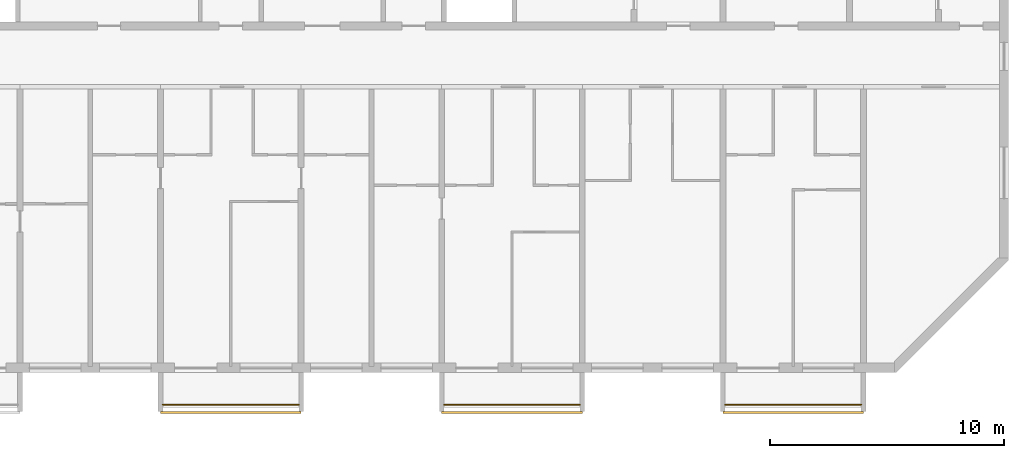
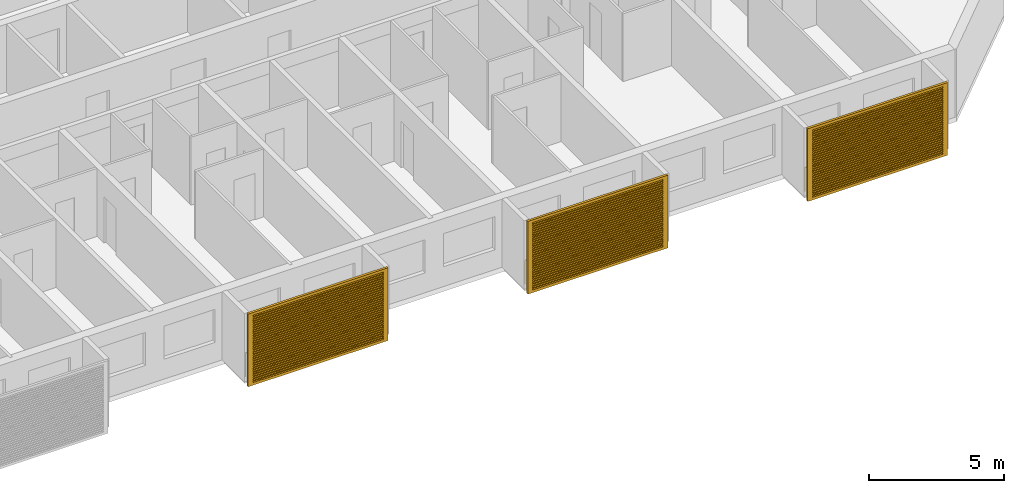
# One storey, part 13 of 26: 3 railings, 3 shading devices.
"""IFC4 building model written with IfcOpenShell, lengths in metres."""

import ifcopenshell
import ifcopenshell.guid

model = None  # the IFC model being written
_history = None  # IfcOwnerHistory: only IFC2X3 demands one
_inside = {}  # id of a spatial element -> (the spatial element, [elements in it])
_under = {}  # id of a project, library or spatial element -> (it, [spatial elements below it])
_declared = {}  # id of a project -> (the project, [libraries it declares])
_typed = {}  # id of a type object -> (the type object, [elements of that type])
_made_of = {}  # id of a material, layer set ... -> (it, [elements and type objects made of it])


def new_model(schema):
    """Start an empty IFC model of exactly this schema.

    Asked for "IFC4X3", IfcOpenShell would pick the latest addendum, in which some entities
    have other attributes; the version numbers below select the first issue.
    IFC2X3 requires an IfcOwnerHistory on every rooted entity: one is made here for all.
    """
    global model, _history
    if schema == "IFC4X3":
        model = ifcopenshell.file(schema_version=(4, 3, 0, 0))
    else:
        model = ifcopenshell.file(schema=schema)
    _inside.clear()
    _under.clear()
    _declared.clear()
    _typed.clear()
    _made_of.clear()
    _history = None
    if model.schema == "IFC2X3":
        org = make("IfcOrganization", Name="unknown")
        user = make(
            "IfcPersonAndOrganization",
            ThePerson=make("IfcPerson", FamilyName="unknown"),
            TheOrganization=org,
        )
        app = make(
            "IfcApplication",
            ApplicationDeveloper=org,
            Version="unknown",
            ApplicationFullName="unknown",
            ApplicationIdentifier="unknown",
        )
        _history = make(
            "IfcOwnerHistory",
            OwningUser=user,
            OwningApplication=app,
            ChangeAction="ADDED",
            CreationDate=0,
        )
    return model


def make(cls, **values):
    """One entity of the class cls with the attributes given. An attribute that is None is left unset."""
    return model.create_entity(
        cls, **{name: value for name, value in values.items() if value is not None}
    )


def rooted(cls, **values):
    """An entity with a GlobalId (a new one), such as an element, a storey or a relation."""
    return make(cls, GlobalId=ifcopenshell.guid.new(), OwnerHistory=_history, **values)


def si_unit(unit_type, name, prefix=None):
    """IfcSIUnit, for example si_unit("LENGTHUNIT", "METRE", prefix="MILLI")."""
    return make("IfcSIUnit", UnitType=unit_type, Prefix=prefix, Name=name)


def assignment(units):
    """IfcUnitAssignment: the units of a project."""
    return None if units is None else make("IfcUnitAssignment", Units=units)


def point(xyz):
    """IfcCartesianPoint."""
    return None if xyz is None else make("IfcCartesianPoint", Coordinates=xyz)


def direction(xyz):
    """IfcDirection."""
    return None if xyz is None else make("IfcDirection", DirectionRatios=xyz)


def frame(location, z_axis=None, x_axis=None):
    """IfcAxis2Placement3D, a coordinate frame: its origin and axes. An axis left out is left unset."""
    return make(
        "IfcAxis2Placement3D",
        Location=point(location),
        Axis=direction(z_axis),
        RefDirection=direction(x_axis),
    )


def frame_2d(location, x_axis=None):
    """IfcAxis2Placement2D, a coordinate frame in the plane: its origin and x axis."""
    return make(
        "IfcAxis2Placement2D", Location=point(location), RefDirection=direction(x_axis)
    )


def origin():
    """The frame at (0, 0, 0) with its axes left unset."""
    return frame((0.0, 0.0, 0.0))


def origin_2d():
    """The frame at (0, 0) in the plane with its x axis left unset."""
    return frame_2d((0.0, 0.0))


def place(relative_to, where):
    """IfcLocalPlacement: puts the frame where relative to a parent placement (None: the world)."""
    return make(
        "IfcLocalPlacement", PlacementRelTo=relative_to, RelativePlacement=where
    )


def context(
    kind, dimensions, precision=None, world=None, true_north=None, identifier=None
):
    """IfcGeometricRepresentationContext, for example the 3D "Model" context."""
    return make(
        "IfcGeometricRepresentationContext",
        ContextIdentifier=identifier,
        ContextType=kind,
        CoordinateSpaceDimension=dimensions,
        Precision=precision,
        WorldCoordinateSystem=world,
        TrueNorth=true_north,
    )


def subcontext(parent, identifier, kind, view, scale=None):
    """IfcGeometricRepresentationSubContext, for example "Body" below "Model"."""
    return make(
        "IfcGeometricRepresentationSubContext",
        ContextIdentifier=identifier,
        ContextType=kind,
        ParentContext=parent,
        TargetScale=scale,
        TargetView=view,
    )


def project(units=None, contexts=None):
    """IfcProject with its units and contexts."""
    return rooted(
        "IfcProject",
        Name="project",
        RepresentationContexts=contexts,
        UnitsInContext=assignment(units),
    )


def spatial(cls, under=None, at=None, **own):
    """A site, building, storey or space (cls), placed at a placement, below another one or the project."""
    s = rooted(cls, ObjectPlacement=at, **own)
    if under is not None:
        _under.setdefault(under.id(), (under, []))[1].append(s)
    return s


def polyline(points):
    """IfcPolyline through the points."""
    return make("IfcPolyline", Points=[point(p) for p in points])


def profile(cls, at=None, kind="AREA", **sizes):
    """A parametric profile (cls). Its sizes go by their IFC names, for example OverallWidth=200.0."""
    return make(cls, ProfileType=kind, Position=at, **sizes)


def circle(**sizes):
    """IfcCircleProfileDef."""
    return profile("IfcCircleProfileDef", **sizes)


def outline(outer, holes=None, kind="AREA"):
    """IfcArbitraryClosedProfileDef: a profile drawn as a closed curve; with holes, ...WithVoids."""
    if holes is None:
        return make("IfcArbitraryClosedProfileDef", ProfileType=kind, OuterCurve=outer)
    return make(
        "IfcArbitraryProfileDefWithVoids",
        ProfileType=kind,
        OuterCurve=outer,
        InnerCurves=holes,
    )


def extrude(swept, where, along, depth):
    """IfcExtrudedAreaSolid: the profile swept, set in the frame where, extruded along a direction by depth."""
    return make(
        "IfcExtrudedAreaSolid",
        SweptArea=swept,
        Position=where,
        ExtrudedDirection=direction(along),
        Depth=depth,
    )


def shape(context_of_items, identifier, shape_type, items):
    """IfcShapeRepresentation: the items that make up one representation, for example the "Body"."""
    return make(
        "IfcShapeRepresentation",
        ContextOfItems=context_of_items,
        RepresentationIdentifier=identifier,
        RepresentationType=shape_type,
        Items=items,
    )


def source(mapping_origin, context_of_items, identifier, shape_type, items):
    """IfcRepresentationMap: a shape defined once, which mapped items show again and again."""
    return make(
        "IfcRepresentationMap",
        MappingOrigin=mapping_origin,
        MappedRepresentation=shape(context_of_items, identifier, shape_type, items),
    )


def transform(
    local_origin,
    x_axis=None,
    y_axis=None,
    z_axis=None,
    scale=None,
    scale2=None,
    scale3=None,
    uniform=True,
):
    """IfcCartesianTransformationOperator3D, or its non-uniform kind. x_axis, y_axis, z_axis: its Axis1, 2, 3."""
    if uniform:
        return make(
            "IfcCartesianTransformationOperator3D",
            Axis1=direction(x_axis),
            Axis2=direction(y_axis),
            LocalOrigin=point(local_origin),
            Scale=scale,
            Axis3=direction(z_axis),
        )
    return make(
        "IfcCartesianTransformationOperator3DnonUniform",
        Axis1=direction(x_axis),
        Axis2=direction(y_axis),
        LocalOrigin=point(local_origin),
        Scale=scale,
        Axis3=direction(z_axis),
        Scale2=scale2,
        Scale3=scale3,
    )


def mapped(mapping_source, mapping_target):
    """IfcMappedItem: shows the shape of a source again, moved by a transform."""
    return make(
        "IfcMappedItem", MappingSource=mapping_source, MappingTarget=mapping_target
    )


def material(Name=None, Category=None):
    """IfcMaterial."""
    return make("IfcMaterial", Name=Name, Category=Category)


def material_profile(
    of_material, cross_section, Name=None, Category=None, Priority=None
):
    """IfcMaterialProfile: a cross section and its material."""
    return make(
        "IfcMaterialProfile",
        Name=Name,
        Material=of_material,
        Profile=cross_section,
        Priority=Priority,
        Category=Category,
    )


def profile_set(profiles, Name=None, composite=None):
    """IfcMaterialProfileSet."""
    return make(
        "IfcMaterialProfileSet",
        Name=Name,
        MaterialProfiles=profiles,
        CompositeProfile=composite,
    )


def made_of(thing, what):
    """Note that an element or type object is made of a material, layer set ...; save() writes the relation."""
    if what is not None:
        _made_of.setdefault(what.id(), (what, []))[1].append(thing)
    return thing


def type_object(cls, material=None, **own):
    """A type object (cls), such as IfcWallType, which elements share."""
    return made_of(rooted(cls, **own), material)


def element(
    cls,
    number,
    at=None,
    inside=None,
    cuts=None,
    type_object=None,
    material=None,
    context=None,
    identifier="Body",
    shape_type=None,
    held_by="IfcProductDefinitionShape",
    body=None,
    shapes=None,
    **own,
):
    """One element of the class cls, such as IfcWall. Its Tag is "e" and its number.

    at: its placement. inside: the storey or other place that contains it. cuts: it is an
    opening in that element (IfcRelVoidsElement). A single representation is given by context,
    identifier, shape_type and body (its items); several are given by shapes. held_by: the class
    of the entity that holds the representations. save() writes the other relations.
    """
    e = rooted(cls, Tag="e%d" % number, ObjectPlacement=at, **own)
    if body is not None:
        shapes = [shape(context, identifier, shape_type, body)]
    if shapes is not None:
        e.Representation = make(held_by, Representations=shapes)
    if inside is not None:
        _inside.setdefault(inside.id(), (inside, []))[1].append(e)
    if cuts is not None:
        rooted(
            "IfcRelVoidsElement", RelatingBuildingElement=cuts, RelatedOpeningElement=e
        )
    if type_object is not None:
        _typed.setdefault(type_object.id(), (type_object, []))[1].append(e)
    return made_of(e, material)


def aggregate(whole, parts):
    """IfcRelAggregates: a whole, such as a stair, and the parts it consists of."""
    return rooted("IfcRelAggregates", RelatingObject=whole, RelatedObjects=parts)


def save(model, path):
    """Write the relations noted so far, then the file.

    IfcRelAggregates (storeys below a building ...), IfcRelContainedInSpatialStructure (elements
    in a storey), IfcRelDefinesByType, IfcRelAssociatesMaterial and IfcRelDeclares: one each for
    every whole, place, type object, material and project.
    """
    for whole, parts in _under.values():
        aggregate(whole, parts)
    for where, things in _inside.values():
        rooted(
            "IfcRelContainedInSpatialStructure",
            RelatedElements=things,
            RelatingStructure=where,
        )
    for kind, things in _typed.values():
        rooted("IfcRelDefinesByType", RelatedObjects=things, RelatingType=kind)
    for what, things in _made_of.values():
        rooted("IfcRelAssociatesMaterial", RelatedObjects=things, RelatingMaterial=what)
    for by, libraries in _declared.values():
        rooted("IfcRelDeclares", RelatingContext=by, RelatedDefinitions=libraries)
    model.write(path)


model = new_model("IFC4")

# Units and contexts
model_context = context("Model", 3, precision=1e-05, world=origin(), true_north=direction((0.0, 1.0)))
body_context = subcontext(model_context, "Body", "Model", "MODEL_VIEW")
ifc_project = project(units=[si_unit("LENGTHUNIT", "METRE"), si_unit("AREAUNIT", "SQUARE_METRE"), si_unit("VOLUMEUNIT", "CUBIC_METRE"), si_unit("PLANEANGLEUNIT", "RADIAN"), si_unit("MASSUNIT", "GRAM", prefix="KILO")], contexts=[model_context])

# Site, building, storey
site_placement = place(None, origin())
site = spatial("IfcSite", under=ifc_project, at=site_placement, CompositionType="ELEMENT")
building_placement = place(site_placement, origin())
building = spatial("IfcBuilding", under=site, at=building_placement, Name="Poui Terraces", CompositionType="ELEMENT")
storey_placement = place(building_placement, frame((0.0, 0.0, 228.0)))
storey = spatial("IfcBuildingStorey", under=building, at=storey_placement, Name="L63", CompositionType="ELEMENT", Elevation=228.0)

# Railings
ifc_material_1 = material(Name="Painted steel fretwork", Category="steel")
railing_type = type_object("IfcRailingType", Name="BALCONY GUARD 1100", PredefinedType="GUARDRAIL", material=ifc_material_1)
for number, where, name in (
    (1, (48.10009765625, -1.570068359375, 0.0), "BALCONY GUARD"),
    (2, (60.10009765625, -1.570068359375, 0.0), "BALCONY GUARD"),
    (3, (72.10009765625, -1.570068359375, 0.0), "BALCONY GUARD"),
):
    element("IfcRailing", number, at=place(storey_placement, frame(where)), inside=storey, type_object=railing_type, Name=name, PredefinedType="GUARDRAIL", context=body_context, shape_type="SweptSolid", body=[
        extrude(circle(Radius=0.02392578125, at=origin_2d()), frame((0.0, 0.0, 1.076171875), z_axis=(1.0, 0.0, 0.0), x_axis=(0.0, 1.0, 0.0)), (0.0, 0.0, 1.0), 5.7998046875),
        extrude(circle(Radius=0.02099609375, at=origin_2d()), origin(), (0.0, 0.0, 1.0), 1.052001953125),
        extrude(circle(Radius=0.02099609375, at=origin_2d()), frame((0.966552734375, 0.0, 0.0)), (0.0, 0.0, 1.0), 1.052001953125),
        extrude(circle(Radius=0.02099609375, at=origin_2d()), frame((1.933349609375, 0.0, 0.0)), (0.0, 0.0, 1.0), 1.052001953125),
        extrude(circle(Radius=0.02099609375, at=origin_2d()), frame((2.89990234375, 0.0, 0.0)), (0.0, 0.0, 1.0), 1.052001953125),
        extrude(circle(Radius=0.02099609375, at=origin_2d()), frame((3.866455078125, 0.0, 0.0)), (0.0, 0.0, 1.0), 1.052001953125),
        extrude(circle(Radius=0.02099609375, at=origin_2d()), frame((4.833251953125, 0.0, 0.0)), (0.0, 0.0, 1.0), 1.052001953125),
        extrude(circle(Radius=0.02099609375, at=origin_2d()), frame((5.7998046875, 0.0, 0.0)), (0.0, 0.0, 1.0), 1.052001953125),
    ])

# Shading devices
ifc_material_2 = material(Name="Aluminium louvre", Category="aluminium")
ifc_material_profile = material_profile(ifc_material_2, outline(polyline([(-3.0, -1.64990234375), (3.0, -1.64990234375), (3.0, 1.64990234375), (-3.0, 1.64990234375), (-3.0, -1.64990234375)]), holes=[polyline([(-2.800048828125, -1.530029296875), (2.800048828125, -1.530029296875), (2.800048828125, -1.469970703125), (-2.800048828125, -1.469970703125), (-2.800048828125, -1.530029296875)]), polyline([(-2.800048828125, -1.429931640625), (2.800048828125, -1.429931640625), (2.800048828125, -1.3701171875), (-2.800048828125, -1.3701171875), (-2.800048828125, -1.429931640625)]), polyline([(-2.800048828125, -1.330078125), (2.800048828125, -1.330078125), (2.800048828125, -1.27001953125), (-2.800048828125, -1.27001953125), (-2.800048828125, -1.330078125)]), polyline([(-2.800048828125, -1.22998046875), (2.800048828125, -1.22998046875), (2.800048828125, -1.169921875), (-2.800048828125, -1.169921875), (-2.800048828125, -1.22998046875)]), polyline([(-2.800048828125, -1.1298828125), (2.800048828125, -1.1298828125), (2.800048828125, -1.070068359375), (-2.800048828125, -1.070068359375), (-2.800048828125, -1.1298828125)]), polyline([(-2.800048828125, -1.030029296875), (2.800048828125, -1.030029296875), (2.800048828125, -0.969970703125), (-2.800048828125, -0.969970703125), (-2.800048828125, -1.030029296875)]), polyline([(-2.800048828125, -0.929931640625), (2.800048828125, -0.929931640625), (2.800048828125, -0.8701171875), (-2.800048828125, -0.8701171875), (-2.800048828125, -0.929931640625)]), polyline([(-2.800048828125, -0.830078125), (2.800048828125, -0.830078125), (2.800048828125, -0.77001953125), (-2.800048828125, -0.77001953125), (-2.800048828125, -0.830078125)]), polyline([(-2.800048828125, -0.72998046875), (2.800048828125, -0.72998046875), (2.800048828125, -0.669921875), (-2.800048828125, -0.669921875), (-2.800048828125, -0.72998046875)]), polyline([(-2.800048828125, -0.6298828125), (2.800048828125, -0.6298828125), (2.800048828125, -0.570068359375), (-2.800048828125, -0.570068359375), (-2.800048828125, -0.6298828125)]), polyline([(-2.800048828125, -0.530029296875), (2.800048828125, -0.530029296875), (2.800048828125, -0.469970703125), (-2.800048828125, -0.469970703125), (-2.800048828125, -0.530029296875)]), polyline([(-2.800048828125, -0.429931640625), (2.800048828125, -0.429931640625), (2.800048828125, -0.3701171875), (-2.800048828125, -0.3701171875), (-2.800048828125, -0.429931640625)]), polyline([(-2.800048828125, -0.330078125), (2.800048828125, -0.330078125), (2.800048828125, -0.27001953125), (-2.800048828125, -0.27001953125), (-2.800048828125, -0.330078125)]), polyline([(-2.800048828125, -0.22998046875), (2.800048828125, -0.22998046875), (2.800048828125, -0.169921875), (-2.800048828125, -0.169921875), (-2.800048828125, -0.22998046875)]), polyline([(-2.800048828125, -0.1298828125), (2.800048828125, -0.1298828125), (2.800048828125, -0.070068359375), (-2.800048828125, -0.070068359375), (-2.800048828125, -0.1298828125)]), polyline([(-2.800048828125, -0.030029296875), (2.800048828125, -0.030029296875), (2.800048828125, 0.030029296875), (-2.800048828125, 0.030029296875), (-2.800048828125, -0.030029296875)]), polyline([(-2.800048828125, 0.070068359375), (2.800048828125, 0.070068359375), (2.800048828125, 0.1298828125), (-2.800048828125, 0.1298828125), (-2.800048828125, 0.070068359375)]), polyline([(-2.800048828125, 0.169921875), (2.800048828125, 0.169921875), (2.800048828125, 0.22998046875), (-2.800048828125, 0.22998046875), (-2.800048828125, 0.169921875)]), polyline([(-2.800048828125, 0.27001953125), (2.800048828125, 0.27001953125), (2.800048828125, 0.330078125), (-2.800048828125, 0.330078125), (-2.800048828125, 0.27001953125)]), polyline([(-2.800048828125, 0.3701171875), (2.800048828125, 0.3701171875), (2.800048828125, 0.429931640625), (-2.800048828125, 0.429931640625), (-2.800048828125, 0.3701171875)]), polyline([(-2.800048828125, 0.469970703125), (2.800048828125, 0.469970703125), (2.800048828125, 0.530029296875), (-2.800048828125, 0.530029296875), (-2.800048828125, 0.469970703125)]), polyline([(-2.800048828125, 0.570068359375), (2.800048828125, 0.570068359375), (2.800048828125, 0.6298828125), (-2.800048828125, 0.6298828125), (-2.800048828125, 0.570068359375)]), polyline([(-2.800048828125, 0.669921875), (2.800048828125, 0.669921875), (2.800048828125, 0.72998046875), (-2.800048828125, 0.72998046875), (-2.800048828125, 0.669921875)]), polyline([(-2.800048828125, 0.77001953125), (2.800048828125, 0.77001953125), (2.800048828125, 0.830078125), (-2.800048828125, 0.830078125), (-2.800048828125, 0.77001953125)]), polyline([(-2.800048828125, 0.8701171875), (2.800048828125, 0.8701171875), (2.800048828125, 0.929931640625), (-2.800048828125, 0.929931640625), (-2.800048828125, 0.8701171875)]), polyline([(-2.800048828125, 0.969970703125), (2.800048828125, 0.969970703125), (2.800048828125, 1.030029296875), (-2.800048828125, 1.030029296875), (-2.800048828125, 0.969970703125)]), polyline([(-2.800048828125, 1.070068359375), (2.800048828125, 1.070068359375), (2.800048828125, 1.1298828125), (-2.800048828125, 1.1298828125), (-2.800048828125, 1.070068359375)]), polyline([(-2.800048828125, 1.169921875), (2.800048828125, 1.169921875), (2.800048828125, 1.22998046875), (-2.800048828125, 1.22998046875), (-2.800048828125, 1.169921875)]), polyline([(-2.800048828125, 1.27001953125), (2.800048828125, 1.27001953125), (2.800048828125, 1.330078125), (-2.800048828125, 1.330078125), (-2.800048828125, 1.27001953125)]), polyline([(-2.800048828125, 1.3701171875), (2.800048828125, 1.3701171875), (2.800048828125, 1.429931640625), (-2.800048828125, 1.429931640625), (-2.800048828125, 1.3701171875)]), polyline([(-2.800048828125, 1.469970703125), (2.800048828125, 1.469970703125), (2.800048828125, 1.530029296875), (-2.800048828125, 1.530029296875), (-2.800048828125, 1.469970703125)])]), Name="JALOUSIE LOUVRE SHUTTER 6000X3300")
ifc_profile_set = profile_set([ifc_material_profile], Name="Aluminium louvre")
shading_device_type = type_object("IfcShadingDeviceType", Name="JALOUSIE LOUVRE SHUTTER 6000X3300", PredefinedType="JALOUSIE", material=ifc_profile_set)
shared_shape = source(origin(), body_context, "Body", "SweptSolid", [
    extrude(outline(polyline([(-3.0, -1.64990234375), (3.0, -1.64990234375), (3.0, 1.64990234375), (-3.0, 1.64990234375), (-3.0, -1.64990234375)]), holes=[polyline([(-2.800048828125, -1.530029296875), (2.800048828125, -1.530029296875), (2.800048828125, -1.469970703125), (-2.800048828125, -1.469970703125), (-2.800048828125, -1.530029296875)]), polyline([(-2.800048828125, -1.429931640625), (2.800048828125, -1.429931640625), (2.800048828125, -1.3701171875), (-2.800048828125, -1.3701171875), (-2.800048828125, -1.429931640625)]), polyline([(-2.800048828125, -1.330078125), (2.800048828125, -1.330078125), (2.800048828125, -1.27001953125), (-2.800048828125, -1.27001953125), (-2.800048828125, -1.330078125)]), polyline([(-2.800048828125, -1.22998046875), (2.800048828125, -1.22998046875), (2.800048828125, -1.169921875), (-2.800048828125, -1.169921875), (-2.800048828125, -1.22998046875)]), polyline([(-2.800048828125, -1.1298828125), (2.800048828125, -1.1298828125), (2.800048828125, -1.070068359375), (-2.800048828125, -1.070068359375), (-2.800048828125, -1.1298828125)]), polyline([(-2.800048828125, -1.030029296875), (2.800048828125, -1.030029296875), (2.800048828125, -0.969970703125), (-2.800048828125, -0.969970703125), (-2.800048828125, -1.030029296875)]), polyline([(-2.800048828125, -0.929931640625), (2.800048828125, -0.929931640625), (2.800048828125, -0.8701171875), (-2.800048828125, -0.8701171875), (-2.800048828125, -0.929931640625)]), polyline([(-2.800048828125, -0.830078125), (2.800048828125, -0.830078125), (2.800048828125, -0.77001953125), (-2.800048828125, -0.77001953125), (-2.800048828125, -0.830078125)]), polyline([(-2.800048828125, -0.72998046875), (2.800048828125, -0.72998046875), (2.800048828125, -0.669921875), (-2.800048828125, -0.669921875), (-2.800048828125, -0.72998046875)]), polyline([(-2.800048828125, -0.6298828125), (2.800048828125, -0.6298828125), (2.800048828125, -0.570068359375), (-2.800048828125, -0.570068359375), (-2.800048828125, -0.6298828125)]), polyline([(-2.800048828125, -0.530029296875), (2.800048828125, -0.530029296875), (2.800048828125, -0.469970703125), (-2.800048828125, -0.469970703125), (-2.800048828125, -0.530029296875)]), polyline([(-2.800048828125, -0.429931640625), (2.800048828125, -0.429931640625), (2.800048828125, -0.3701171875), (-2.800048828125, -0.3701171875), (-2.800048828125, -0.429931640625)]), polyline([(-2.800048828125, -0.330078125), (2.800048828125, -0.330078125), (2.800048828125, -0.27001953125), (-2.800048828125, -0.27001953125), (-2.800048828125, -0.330078125)]), polyline([(-2.800048828125, -0.22998046875), (2.800048828125, -0.22998046875), (2.800048828125, -0.169921875), (-2.800048828125, -0.169921875), (-2.800048828125, -0.22998046875)]), polyline([(-2.800048828125, -0.1298828125), (2.800048828125, -0.1298828125), (2.800048828125, -0.070068359375), (-2.800048828125, -0.070068359375), (-2.800048828125, -0.1298828125)]), polyline([(-2.800048828125, -0.030029296875), (2.800048828125, -0.030029296875), (2.800048828125, 0.030029296875), (-2.800048828125, 0.030029296875), (-2.800048828125, -0.030029296875)]), polyline([(-2.800048828125, 0.070068359375), (2.800048828125, 0.070068359375), (2.800048828125, 0.1298828125), (-2.800048828125, 0.1298828125), (-2.800048828125, 0.070068359375)]), polyline([(-2.800048828125, 0.169921875), (2.800048828125, 0.169921875), (2.800048828125, 0.22998046875), (-2.800048828125, 0.22998046875), (-2.800048828125, 0.169921875)]), polyline([(-2.800048828125, 0.27001953125), (2.800048828125, 0.27001953125), (2.800048828125, 0.330078125), (-2.800048828125, 0.330078125), (-2.800048828125, 0.27001953125)]), polyline([(-2.800048828125, 0.3701171875), (2.800048828125, 0.3701171875), (2.800048828125, 0.429931640625), (-2.800048828125, 0.429931640625), (-2.800048828125, 0.3701171875)]), polyline([(-2.800048828125, 0.469970703125), (2.800048828125, 0.469970703125), (2.800048828125, 0.530029296875), (-2.800048828125, 0.530029296875), (-2.800048828125, 0.469970703125)]), polyline([(-2.800048828125, 0.570068359375), (2.800048828125, 0.570068359375), (2.800048828125, 0.6298828125), (-2.800048828125, 0.6298828125), (-2.800048828125, 0.570068359375)]), polyline([(-2.800048828125, 0.669921875), (2.800048828125, 0.669921875), (2.800048828125, 0.72998046875), (-2.800048828125, 0.72998046875), (-2.800048828125, 0.669921875)]), polyline([(-2.800048828125, 0.77001953125), (2.800048828125, 0.77001953125), (2.800048828125, 0.830078125), (-2.800048828125, 0.830078125), (-2.800048828125, 0.77001953125)]), polyline([(-2.800048828125, 0.8701171875), (2.800048828125, 0.8701171875), (2.800048828125, 0.929931640625), (-2.800048828125, 0.929931640625), (-2.800048828125, 0.8701171875)]), polyline([(-2.800048828125, 0.969970703125), (2.800048828125, 0.969970703125), (2.800048828125, 1.030029296875), (-2.800048828125, 1.030029296875), (-2.800048828125, 0.969970703125)]), polyline([(-2.800048828125, 1.070068359375), (2.800048828125, 1.070068359375), (2.800048828125, 1.1298828125), (-2.800048828125, 1.1298828125), (-2.800048828125, 1.070068359375)]), polyline([(-2.800048828125, 1.169921875), (2.800048828125, 1.169921875), (2.800048828125, 1.22998046875), (-2.800048828125, 1.22998046875), (-2.800048828125, 1.169921875)]), polyline([(-2.800048828125, 1.27001953125), (2.800048828125, 1.27001953125), (2.800048828125, 1.330078125), (-2.800048828125, 1.330078125), (-2.800048828125, 1.27001953125)]), polyline([(-2.800048828125, 1.3701171875), (2.800048828125, 1.3701171875), (2.800048828125, 1.429931640625), (-2.800048828125, 1.429931640625), (-2.800048828125, 1.3701171875)]), polyline([(-2.800048828125, 1.469970703125), (2.800048828125, 1.469970703125), (2.800048828125, 1.530029296875), (-2.800048828125, 1.530029296875), (-2.800048828125, 1.469970703125)])]), origin(), (0.0, 0.0, 1.0), 0.099853515625),
])
for number, where, z_axis, x_axis, name in (
    (4, (51.0, -1.85009765625, 1.449951171875), (0.0, -1.0, 0.0), (1.0, 0.0, 0.0), "JALOUSIE LOUVRE SHUTTER"),
    (5, (63.0, -1.85009765625, 1.449951171875), (0.0, -1.0, 0.0), (1.0, 0.0, 0.0), "JALOUSIE LOUVRE SHUTTER"),
    (6, (75.0, -1.85009765625, 1.449951171875), (0.0, -1.0, 0.0), (1.0, 0.0, 0.0), "JALOUSIE LOUVRE SHUTTER"),
):
    element("IfcShadingDevice", number, at=place(storey_placement, frame(where, z_axis=z_axis, x_axis=x_axis)), inside=storey, type_object=shading_device_type, Name=name, PredefinedType="JALOUSIE", context=body_context, shape_type="MappedRepresentation", body=[
        mapped(shared_shape, transform((0.0, 0.0, 0.0))),
    ])

save(model, "model.ifc")
